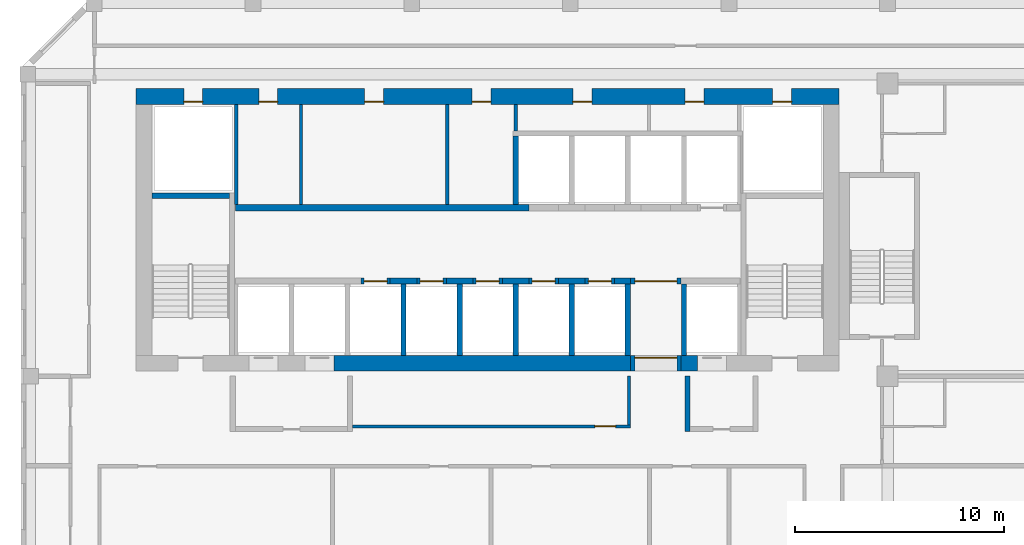
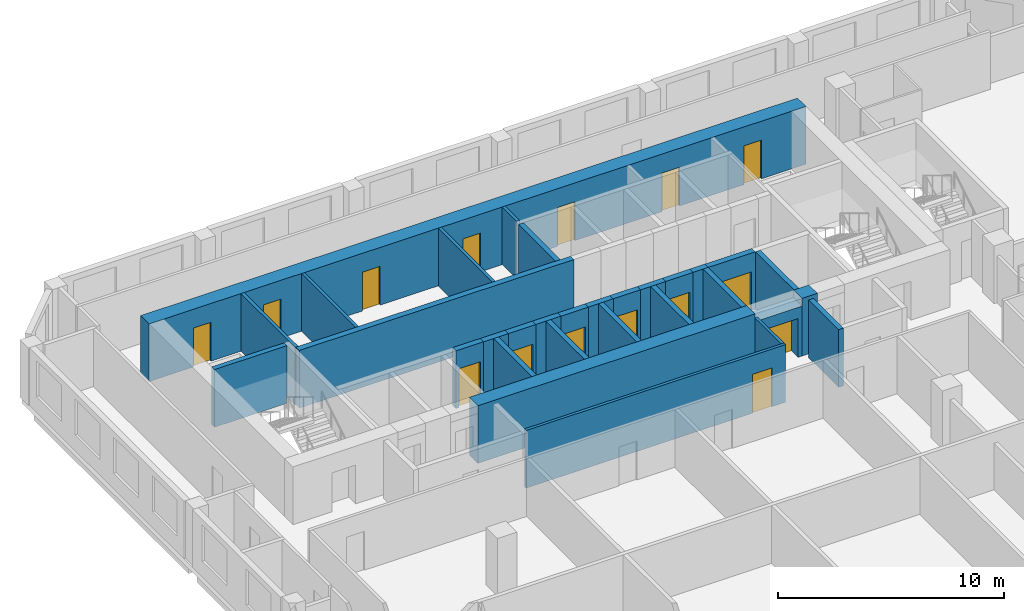
# One storey, part 7 of 21: 31 walls, 15 doors, 15 openings.
"""IFC4 building model written with IfcOpenShell, lengths in metres."""

from ifc_helpers import new_model, si_unit, direction, frame, frame_2d, origin, place, context, subcontext, project, spatial, rectangle, extrude, source, transform, mapped, material, layer, layer_set, type_object, element, fill, save


model = new_model("IFC4")

# Units and contexts
model_context = context("Model", 3, precision=1e-05, world=origin(), true_north=direction((0.0, 1.0)))
body_context = subcontext(model_context, "Body", "Model", "MODEL_VIEW")
ifc_project = project(units=[si_unit("LENGTHUNIT", "METRE"), si_unit("AREAUNIT", "SQUARE_METRE"), si_unit("VOLUMEUNIT", "CUBIC_METRE"), si_unit("PLANEANGLEUNIT", "RADIAN"), si_unit("MASSUNIT", "GRAM", prefix="KILO")], contexts=[model_context])

# Site, building, storey
site_placement = place(None, origin())
site = spatial("IfcSite", under=ifc_project, at=site_placement, CompositionType="ELEMENT")
building_placement = place(site_placement, origin())
building = spatial("IfcBuilding", under=site, at=building_placement, Name="Kilnfold Tower and Market Hall", CompositionType="ELEMENT")
storey_placement = place(building_placement, frame((0.0, 0.0, 216.89990234375)))
storey = spatial("IfcBuildingStorey", under=building, at=storey_placement, Name="L53", CompositionType="ELEMENT", Elevation=216.89990234375)

# Wall, opening, door
ifc_material_1 = material(Name="Gypsum board on steel studs", Category="steel")
ifc_layer_1 = layer(ifc_material_1, 0.14990234375)
ifc_layer_set_1 = layer_set([ifc_layer_1], Name="Gypsum board on steel studs")
wall_type_1 = type_object("IfcWallType", Name="WALL CORRIDOR 150", PredefinedType="PARTITIONING", material=ifc_layer_set_1)
wall_1_placement = place(storey_placement, frame((7.875, 5.60009765625, 0.0), z_axis=(0.0, 0.0, 1.0), x_axis=(-1.0, 0.0, 0.0)))
wall_1 = element("IfcWall", 1, at=wall_1_placement, inside=storey, type_object=wall_type_1, Name="Partition LY31.32", PredefinedType="PARTITIONING", context=body_context, shape_type="SweptSolid", body=[
    extrude(rectangle(XDim=13.27490234375, YDim=0.14990234375, at=frame_2d((6.637451171875, 0.0))), origin(), (0.0, 0.0, 1.0), 3.1201171875),
])
opening_1_placement = place(wall_1_placement, frame((0.702880859375, 0.0, 0.0)))
opening_1 = element("IfcOpeningElement", 2, at=opening_1_placement, cuts=wall_1, Name="Opening D1", PredefinedType="OPENING", context=body_context, shape_type="SweptSolid", body=[
    extrude(rectangle(XDim=1.0, YDim=2.10009765625, at=frame_2d((0.5, 1.050048828125))), frame((0.0, 0.0849609375, 0.0), z_axis=(0.0, -1.0, 0.0), x_axis=(1.0, 0.0, 0.0)), (0.0, 0.0, 1.0), 0.169921875),
])
ifc_material_2 = material(Name="Timber veneer door leaf in steel frame", Category="steel")
door_type_1 = type_object("IfcDoorType", Name="DOOR ENTRY 1000 X2100", OperationType="NOTDEFINED", PredefinedType="DOOR", material=ifc_material_2)
door_1_placement = place(opening_1_placement, origin())
door_1 = element("IfcDoor", 3, at=door_1_placement, inside=storey, type_object=door_type_1, Name="Door D1", OperationType="SINGLE_SWING_RIGHT", OverallHeight=2.10009765625, OverallWidth=1.0, PredefinedType="DOOR", context=body_context, shape_type="SweptSolid", body=[
    extrude(rectangle(XDim=1.0, YDim=2.10009765625, at=frame_2d((0.5, 1.050048828125))), frame((0.0, 0.02490234375, 0.0), z_axis=(0.0, -1.0, 0.0), x_axis=(1.0, 0.0, 0.0)), (0.0, 0.0, 1.0), 0.050048828125),
])
fill(opening_1, door_1)

# Walls
wall_2_placement = place(storey_placement, frame((7.800048828125, 8.0, 0.0), z_axis=(0.0, 0.0, 1.0), x_axis=(0.0, -1.0, 0.0)))
element("IfcWall", 4, at=wall_2_placement, inside=storey, type_object=wall_type_1, Name="Partition LY31.33", PredefinedType="PARTITIONING", context=body_context, shape_type="SweptSolid", body=[
    extrude(rectangle(XDim=2.324951171875, YDim=0.14990234375, at=frame_2d((1.16259765625, 0.0))), origin(), (0.0, 0.0, 1.0), 3.1201171875),
])
ifc_material_3 = material(Name="Concrete C60", Category="concrete")
ifc_layer_2 = layer(ifc_material_3, 0.25)
ifc_layer_set_2 = layer_set([ifc_layer_2], Name="Concrete C60")
wall_type_2 = type_object("IfcWallType", Name="CORE WALL 250 C60", PredefinedType="SHEAR", material=ifc_layer_set_2)
shared_shape_1 = source(origin(), body_context, "Body", "SweptSolid", [
    extrude(rectangle(XDim=3.699951171875, YDim=0.25, at=frame_2d((1.85009765625, 0.0))), origin(), (0.0, 0.0, 1.0), 3.1201171875),
])
wall_3_placement = place(storey_placement, frame((-15.0, 16.625, 0.0), z_axis=(0.0, 0.0, 1.0), x_axis=(1.0, 0.0, 0.0)))
element("IfcWall", 5, at=wall_3_placement, inside=storey, type_object=wall_type_2, Name="Stair enclosure ST1", PredefinedType="SHEAR", context=body_context, shape_type="MappedRepresentation", body=[
    mapped(shared_shape_1, transform((0.0, 0.0, 0.0))),
])
ifc_material_4 = material(Name="Concrete C60", Category="concrete")
ifc_layer_3 = layer(ifc_material_4, 0.300048828125)
ifc_layer_set_3 = layer_set([ifc_layer_3], Name="Concrete C60")
wall_type_3 = type_object("IfcWallType", Name="CORE WALL 300 C60", PredefinedType="SHEAR", material=ifc_layer_set_3)
shared_shape_2 = source(origin(), body_context, "Body", "SweptSolid", [
    extrude(rectangle(XDim=1.280029296875, YDim=0.300048828125, at=frame_2d((0.64013671875, 0.0))), origin(), (0.0, 0.0, 1.0), 3.1201171875),
])
for number, where, z_axis, x_axis, name in (
    (6, (-3.610107421875, 12.550048828125, 0.0), (0.0, 0.0, 1.0), (1.0, 0.0, 0.0), "Core spine wall"),
    (7, (-0.929931640625, 12.550048828125, 0.0), (0.0, 0.0, 1.0), (1.0, 0.0, 0.0), "Core spine wall"),
    (8, (1.75, 12.550048828125, 0.0), (0.0, 0.0, 1.0), (1.0, 0.0, 0.0), "Core spine wall"),
    (9, (4.429931640625, 12.550048828125, 0.0), (0.0, 0.0, 1.0), (1.0, 0.0, 0.0), "Core spine wall"),
):
    element("IfcWall", number, at=place(storey_placement, frame(where, z_axis=z_axis, x_axis=x_axis)), inside=storey, type_object=wall_type_3, Name=name, PredefinedType="SHEAR", context=body_context, shape_type="MappedRepresentation", body=[
        mapped(shared_shape_2, transform((0.0, 0.0, 0.0))),
    ])
shared_shape_3 = source(origin(), body_context, "Body", "SweptSolid", [
    extrude(rectangle(XDim=0.77978515625, YDim=0.300048828125, at=frame_2d((0.389892578125, 0.0))), origin(), (0.0, 0.0, 1.0), 3.1201171875),
])
wall_4_placement = place(storey_placement, frame((7.110107421875, 12.550048828125, 0.0), z_axis=(0.0, 0.0, 1.0), x_axis=(1.0, 0.0, 0.0)))
element("IfcWall", 10, at=wall_4_placement, inside=storey, type_object=wall_type_3, Name="Core spine wall", PredefinedType="SHEAR", context=body_context, shape_type="MappedRepresentation", body=[
    mapped(shared_shape_3, transform((0.0, 0.0, 0.0))),
])
shared_shape_4 = source(origin(), body_context, "Body", "SweptSolid", [
    extrude(rectangle(XDim=14.0400390625, YDim=0.300048828125, at=frame_2d((7.02001953125, 0.0))), origin(), (0.0, 0.0, 1.0), 3.1201171875),
])
wall_5_placement = place(storey_placement, frame((-11.010009765625, 16.050048828125, 0.0), z_axis=(0.0, 0.0, 1.0), x_axis=(1.0, 0.0, 0.0)))
element("IfcWall", 11, at=wall_5_placement, inside=storey, type_object=wall_type_3, Name="Core spine wall", PredefinedType="SHEAR", context=body_context, shape_type="MappedRepresentation", body=[
    mapped(shared_shape_4, transform((0.0, 0.0, 0.0))),
])
ifc_material_5 = material(Name="Concrete C60", Category="concrete")
ifc_layer_4 = layer(ifc_material_5, 0.75)
ifc_layer_set_4 = layer_set([ifc_layer_4], Name="Concrete C60")
wall_type_4 = type_object("IfcWallType", Name="CORE WALL 750 C60", PredefinedType="SHEAR", material=ifc_layer_set_4)
shared_shape_5 = source(origin(), body_context, "Body", "SweptSolid", [
    extrude(rectangle(XDim=14.179931640625, YDim=0.75, at=frame_2d((7.08984375, 0.0))), origin(), (0.0, 0.0, 1.0), 3.1201171875),
])
wall_6_placement = place(storey_placement, frame((-6.2900390625, 8.625, 0.0), z_axis=(0.0, 0.0, 1.0), x_axis=(1.0, 0.0, 0.0)))
element("IfcWall", 12, at=wall_6_placement, inside=storey, type_object=wall_type_4, Name="Core outer wall south", PredefinedType="SHEAR", context=body_context, shape_type="MappedRepresentation", body=[
    mapped(shared_shape_5, transform((0.0, 0.0, 0.0))),
])
shared_shape_6 = source(origin(), body_context, "Body", "SweptSolid", [
    extrude(rectangle(XDim=0.780029296875, YDim=0.75, at=frame_2d((0.39013671875, 0.0))), origin(), (0.0, 0.0, 1.0), 3.1201171875),
])
wall_7_placement = place(storey_placement, frame((10.2900390625, 8.625, 0.0), z_axis=(0.0, 0.0, 1.0), x_axis=(1.0, 0.0, 0.0)))
element("IfcWall", 13, at=wall_7_placement, inside=storey, type_object=wall_type_4, Name="Core outer wall south", PredefinedType="SHEAR", context=body_context, shape_type="MappedRepresentation", body=[
    mapped(shared_shape_6, transform((0.0, 0.0, 0.0))),
])

# Wall, openings, doors
shared_shape_7 = source(origin(), body_context, "Body", "SweptSolid", [
    extrude(rectangle(XDim=33.60009765625, YDim=0.75, at=frame_2d((16.800048828125, 0.0))), origin(), (0.0, 0.0, 1.0), 3.1201171875),
])
wall_8_placement = place(storey_placement, frame((-15.75, 21.375, 0.0), z_axis=(0.0, 0.0, 1.0), x_axis=(1.0, 0.0, 0.0)))
wall_8 = element("IfcWall", 14, at=wall_8_placement, inside=storey, type_object=wall_type_4, Name="Core outer wall north", PredefinedType="SHEAR", context=body_context, shape_type="MappedRepresentation", body=[
    mapped(shared_shape_7, transform((0.0, 0.0, 0.0))),
])
opening_2_placement = place(wall_8_placement, frame((5.85791015625, 0.0, 0.0)))
opening_2 = element("IfcOpeningElement", 15, at=opening_2_placement, cuts=wall_8, Name="Opening KD1", PredefinedType="OPENING", context=body_context, shape_type="SweptSolid", body=[
    extrude(rectangle(XDim=0.89990234375, YDim=2.10009765625, at=frame_2d((0.449951171875, 1.050048828125))), frame((0.0, 0.385009765625, 0.0), z_axis=(0.0, -1.0, 0.0), x_axis=(1.0, 0.0, 0.0)), (0.0, 0.0, 1.0), 0.77001953125),
])
opening_3_placement = place(wall_8_placement, frame((10.923095703125, 0.0, 0.0)))
opening_3 = element("IfcOpeningElement", 16, at=opening_3_placement, cuts=wall_8, Name="Opening KD1", PredefinedType="OPENING", context=body_context, shape_type="SweptSolid", body=[
    extrude(rectangle(XDim=0.89990234375, YDim=2.10009765625, at=frame_2d((0.449951171875, 1.050048828125))), frame((0.0, 0.385009765625, 0.0), z_axis=(0.0, -1.0, 0.0), x_axis=(1.0, 0.0, 0.0)), (0.0, 0.0, 1.0), 0.77001953125),
])
opening_4_placement = place(wall_8_placement, frame((16.05517578125, 0.0, 0.0)))
opening_4 = element("IfcOpeningElement", 17, at=opening_4_placement, cuts=wall_8, Name="Opening KD1", PredefinedType="OPENING", context=body_context, shape_type="SweptSolid", body=[
    extrude(rectangle(XDim=0.89990234375, YDim=2.10009765625, at=frame_2d((0.449951171875, 1.050048828125))), frame((0.0, 0.385009765625, 0.0), z_axis=(0.0, -1.0, 0.0), x_axis=(1.0, 0.0, 0.0)), (0.0, 0.0, 1.0), 0.77001953125),
])
opening_5_placement = place(wall_8_placement, frame((20.879150390625, 0.0, 0.0)))
opening_5 = element("IfcOpeningElement", 18, at=opening_5_placement, cuts=wall_8, Name="Opening KD1", PredefinedType="OPENING", context=body_context, shape_type="SweptSolid", body=[
    extrude(rectangle(XDim=0.89990234375, YDim=2.10009765625, at=frame_2d((0.449951171875, 1.050048828125))), frame((0.0, 0.385009765625, 0.0), z_axis=(0.0, -1.0, 0.0), x_axis=(1.0, 0.0, 0.0)), (0.0, 0.0, 1.0), 0.77001953125),
])
opening_6_placement = place(wall_8_placement, frame((26.2392578125, 0.0, 0.0)))
opening_6 = element("IfcOpeningElement", 19, at=opening_6_placement, cuts=wall_8, Name="Opening KD1", PredefinedType="OPENING", context=body_context, shape_type="SweptSolid", body=[
    extrude(rectangle(XDim=0.89990234375, YDim=2.10009765625, at=frame_2d((0.449951171875, 1.050048828125))), frame((0.0, 0.385009765625, 0.0), z_axis=(0.0, -1.0, 0.0), x_axis=(1.0, 0.0, 0.0)), (0.0, 0.0, 1.0), 0.77001953125),
])
opening_7_placement = place(wall_8_placement, frame((2.27490234375, 0.0, 0.0)))
opening_7 = element("IfcOpeningElement", 20, at=opening_7_placement, cuts=wall_8, Name="Opening KD1", PredefinedType="OPENING", context=body_context, shape_type="SweptSolid", body=[
    extrude(rectangle(XDim=0.89990234375, YDim=2.10009765625, at=frame_2d((0.449951171875, 1.050048828125))), frame((0.0, 0.385009765625, 0.0), z_axis=(0.0, -1.0, 0.0), x_axis=(1.0, 0.0, 0.0)), (0.0, 0.0, 1.0), 0.77001953125),
])
opening_8_placement = place(wall_8_placement, frame((30.425048828125, 0.0, 0.0)))
opening_8 = element("IfcOpeningElement", 21, at=opening_8_placement, cuts=wall_8, Name="Opening KD1", PredefinedType="OPENING", context=body_context, shape_type="SweptSolid", body=[
    extrude(rectangle(XDim=0.89990234375, YDim=2.10009765625, at=frame_2d((0.449951171875, 1.050048828125))), frame((0.0, 0.385009765625, 0.0), z_axis=(0.0, -1.0, 0.0), x_axis=(1.0, 0.0, 0.0)), (0.0, 0.0, 1.0), 0.77001953125),
])
ifc_material_6 = material(Name="Steel door set with fire-resisting leaf", Category="steel")
door_type_2 = type_object("IfcDoorType", Name="SERVICE DOOR 900X2100", OperationType="NOTDEFINED", PredefinedType="DOOR", material=ifc_material_6)
door_2_placement = place(opening_2_placement, origin())
door_2 = element("IfcDoor", 22, at=door_2_placement, inside=storey, type_object=door_type_2, Name="Core service door", OperationType="SINGLE_SWING_RIGHT", OverallHeight=2.10009765625, OverallWidth=0.89990234375, PredefinedType="DOOR", context=body_context, shape_type="SweptSolid", body=[
    extrude(rectangle(XDim=0.89990234375, YDim=2.10009765625, at=frame_2d((0.449951171875, 1.050048828125))), frame((0.0, -0.22998046875, 0.0), z_axis=(0.0, -1.0, 0.0), x_axis=(1.0, 0.0, 0.0)), (0.0, 0.0, 1.0), 0.050048828125),
])
fill(opening_2, door_2)
door_3_placement = place(opening_3_placement, origin())
door_3 = element("IfcDoor", 23, at=door_3_placement, inside=storey, type_object=door_type_2, Name="Core service door", OperationType="SINGLE_SWING_LEFT", OverallHeight=2.10009765625, OverallWidth=0.89990234375, PredefinedType="DOOR", context=body_context, shape_type="SweptSolid", body=[
    extrude(rectangle(XDim=0.89990234375, YDim=2.10009765625, at=frame_2d((0.449951171875, 1.050048828125))), frame((0.0, -0.22998046875, 0.0), z_axis=(0.0, -1.0, 0.0), x_axis=(1.0, 0.0, 0.0)), (0.0, 0.0, 1.0), 0.050048828125),
])
fill(opening_3, door_3)
door_4_placement = place(opening_4_placement, origin())
door_4 = element("IfcDoor", 24, at=door_4_placement, inside=storey, type_object=door_type_2, Name="Core service door", OperationType="SINGLE_SWING_RIGHT", OverallHeight=2.10009765625, OverallWidth=0.89990234375, PredefinedType="DOOR", context=body_context, shape_type="SweptSolid", body=[
    extrude(rectangle(XDim=0.89990234375, YDim=2.10009765625, at=frame_2d((0.449951171875, 1.050048828125))), frame((0.0, -0.22998046875, 0.0), z_axis=(0.0, -1.0, 0.0), x_axis=(1.0, 0.0, 0.0)), (0.0, 0.0, 1.0), 0.050048828125),
])
fill(opening_4, door_4)
door_5_placement = place(opening_5_placement, origin())
door_5 = element("IfcDoor", 25, at=door_5_placement, inside=storey, type_object=door_type_2, Name="Core service door", OperationType="SINGLE_SWING_LEFT", OverallHeight=2.10009765625, OverallWidth=0.89990234375, PredefinedType="DOOR", context=body_context, shape_type="SweptSolid", body=[
    extrude(rectangle(XDim=0.89990234375, YDim=2.10009765625, at=frame_2d((0.449951171875, 1.050048828125))), frame((0.0, -0.22998046875, 0.0), z_axis=(0.0, -1.0, 0.0), x_axis=(1.0, 0.0, 0.0)), (0.0, 0.0, 1.0), 0.050048828125),
])
fill(opening_5, door_5)
door_6_placement = place(opening_6_placement, origin())
door_6 = element("IfcDoor", 26, at=door_6_placement, inside=storey, type_object=door_type_2, Name="Core service door", OperationType="SINGLE_SWING_RIGHT", OverallHeight=2.10009765625, OverallWidth=0.89990234375, PredefinedType="DOOR", context=body_context, shape_type="SweptSolid", body=[
    extrude(rectangle(XDim=0.89990234375, YDim=2.10009765625, at=frame_2d((0.449951171875, 1.050048828125))), frame((0.0, -0.22998046875, 0.0), z_axis=(0.0, -1.0, 0.0), x_axis=(1.0, 0.0, 0.0)), (0.0, 0.0, 1.0), 0.050048828125),
])
fill(opening_6, door_6)
door_7_placement = place(opening_7_placement, origin())
door_7 = element("IfcDoor", 27, at=door_7_placement, inside=storey, type_object=door_type_2, Name="Electrical riser access door", OperationType="SINGLE_SWING_LEFT", OverallHeight=2.10009765625, OverallWidth=0.89990234375, PredefinedType="DOOR", context=body_context, shape_type="SweptSolid", body=[
    extrude(rectangle(XDim=0.89990234375, YDim=2.10009765625, at=frame_2d((0.449951171875, 1.050048828125))), frame((0.0, -0.22998046875, 0.0), z_axis=(0.0, -1.0, 0.0), x_axis=(1.0, 0.0, 0.0)), (0.0, 0.0, 1.0), 0.050048828125),
])
fill(opening_7, door_7)
door_8_placement = place(opening_8_placement, origin())
door_8 = element("IfcDoor", 28, at=door_8_placement, inside=storey, type_object=door_type_2, Name="Mechanical riser access door", OperationType="SINGLE_SWING_RIGHT", OverallHeight=2.10009765625, OverallWidth=0.89990234375, PredefinedType="DOOR", context=body_context, shape_type="SweptSolid", body=[
    extrude(rectangle(XDim=0.89990234375, YDim=2.10009765625, at=frame_2d((0.449951171875, 1.050048828125))), frame((0.0, -0.22998046875, 0.0), z_axis=(0.0, -1.0, 0.0), x_axis=(1.0, 0.0, 0.0)), (0.0, 0.0, 1.0), 0.050048828125),
])
fill(opening_8, door_8)

# Wall, opening, door
ifc_material_7 = material(Name="Gypsum shaft wall system")
ifc_layer_5 = layer(ifc_material_7, 0.300048828125)
ifc_layer_set_5 = layer_set([ifc_layer_5], Name="Gypsum shaft wall system")
wall_type_5 = type_object("IfcWallType", Name="SHAFT WALL 300", PredefinedType="PARTITIONING", material=ifc_layer_set_5)
shared_shape_8 = source(origin(), body_context, "Body", "SweptSolid", [
    extrude(rectangle(XDim=1.39990234375, YDim=0.300048828125, at=frame_2d((0.699951171875, 0.0))), origin(), (0.0, 0.0, 1.0), 3.1201171875),
])
wall_9_placement = place(storey_placement, frame((-5.010009765625, 12.550048828125, 0.0), z_axis=(0.0, 0.0, 1.0), x_axis=(1.0, 0.0, 0.0)))
wall_9 = element("IfcWall", 29, at=wall_9_placement, inside=storey, type_object=wall_type_5, Name="Lift shaft front wall", PredefinedType="PARTITIONING", context=body_context, shape_type="MappedRepresentation", body=[
    mapped(shared_shape_8, transform((0.0, 0.0, 0.0))),
])
opening_9_placement = place(wall_9_placement, frame((0.14990234375, 0.0, 0.0)))
opening_9 = element("IfcOpeningElement", 30, at=opening_9_placement, cuts=wall_9, Name="Opening LD2", PredefinedType="OPENING", context=body_context, shape_type="SweptSolid", body=[
    extrude(rectangle(XDim=1.10009765625, YDim=2.10009765625, at=frame_2d((0.550048828125, 1.050048828125))), frame((0.0, 0.16015625, 0.0), z_axis=(0.0, -1.0, 0.0), x_axis=(1.0, 0.0, 0.0)), (0.0, 0.0, 1.0), 0.320068359375),
])
ifc_material_8 = material(Name="Steel door set with fire-resisting leaf", Category="steel")
door_type_3 = type_object("IfcDoorType", Name="LANDING DOOR 1100X2100", OperationType="NOTDEFINED", PredefinedType="DOOR", material=ifc_material_8)
door_9_placement = place(opening_9_placement, origin())
door_9 = element("IfcDoor", 31, at=door_9_placement, inside=storey, type_object=door_type_3, Name="Landing door MR1", OperationType="DOUBLE_DOOR_SLIDING", OverallHeight=2.10009765625, OverallWidth=1.10009765625, PredefinedType="DOOR", context=body_context, shape_type="SweptSolid", body=[
    extrude(rectangle(XDim=1.10009765625, YDim=2.10009765625, at=frame_2d((0.550048828125, 1.050048828125))), frame((0.0, 0.02490234375, 0.0), z_axis=(0.0, -1.0, 0.0), x_axis=(1.0, 0.0, 0.0)), (0.0, 0.0, 1.0), 0.050048828125),
])
fill(opening_9, door_9)

wall_10_placement = place(storey_placement, frame((0.35009765625, 12.550048828125, 0.0), z_axis=(0.0, 0.0, 1.0), x_axis=(1.0, 0.0, 0.0)))
wall_10 = element("IfcWall", 32, at=wall_10_placement, inside=storey, type_object=wall_type_5, Name="Lift shaft front wall", PredefinedType="PARTITIONING", context=body_context, shape_type="MappedRepresentation", body=[
    mapped(shared_shape_8, transform((0.0, 0.0, 0.0))),
])
opening_10_placement = place(wall_10_placement, frame((0.14990234375, 0.0, 0.0)))
opening_10 = element("IfcOpeningElement", 33, at=opening_10_placement, cuts=wall_10, Name="Opening LD2", PredefinedType="OPENING", context=body_context, shape_type="SweptSolid", body=[
    extrude(rectangle(XDim=1.10009765625, YDim=2.10009765625, at=frame_2d((0.550048828125, 1.050048828125))), frame((0.0, 0.16015625, 0.0), z_axis=(0.0, -1.0, 0.0), x_axis=(1.0, 0.0, 0.0)), (0.0, 0.0, 1.0), 0.320068359375),
])
door_10_placement = place(opening_10_placement, origin())
door_10 = element("IfcDoor", 34, at=door_10_placement, inside=storey, type_object=door_type_3, Name="Landing door MR3", OperationType="DOUBLE_DOOR_SLIDING", OverallHeight=2.10009765625, OverallWidth=1.10009765625, PredefinedType="DOOR", context=body_context, shape_type="SweptSolid", body=[
    extrude(rectangle(XDim=1.10009765625, YDim=2.10009765625, at=frame_2d((0.550048828125, 1.050048828125))), frame((0.0, 0.02490234375, 0.0), z_axis=(0.0, -1.0, 0.0), x_axis=(1.0, 0.0, 0.0)), (0.0, 0.0, 1.0), 0.050048828125),
])
fill(opening_10, door_10)

wall_11_placement = place(storey_placement, frame((3.030029296875, 12.550048828125, 0.0), z_axis=(0.0, 0.0, 1.0), x_axis=(1.0, 0.0, 0.0)))
wall_11 = element("IfcWall", 35, at=wall_11_placement, inside=storey, type_object=wall_type_5, Name="Lift shaft front wall", PredefinedType="PARTITIONING", context=body_context, shape_type="MappedRepresentation", body=[
    mapped(shared_shape_8, transform((0.0, 0.0, 0.0))),
])
opening_11_placement = place(wall_11_placement, frame((0.14990234375, 0.0, 0.0)))
opening_11 = element("IfcOpeningElement", 36, at=opening_11_placement, cuts=wall_11, Name="Opening LD2", PredefinedType="OPENING", context=body_context, shape_type="SweptSolid", body=[
    extrude(rectangle(XDim=1.10009765625, YDim=2.10009765625, at=frame_2d((0.550048828125, 1.050048828125))), frame((0.0, 0.16015625, 0.0), z_axis=(0.0, -1.0, 0.0), x_axis=(1.0, 0.0, 0.0)), (0.0, 0.0, 1.0), 0.320068359375),
])
door_11_placement = place(opening_11_placement, origin())
door_11 = element("IfcDoor", 37, at=door_11_placement, inside=storey, type_object=door_type_3, Name="Landing door MR4", OperationType="DOUBLE_DOOR_SLIDING", OverallHeight=2.10009765625, OverallWidth=1.10009765625, PredefinedType="DOOR", context=body_context, shape_type="SweptSolid", body=[
    extrude(rectangle(XDim=1.10009765625, YDim=2.10009765625, at=frame_2d((0.550048828125, 1.050048828125))), frame((0.0, 0.02490234375, 0.0), z_axis=(0.0, -1.0, 0.0), x_axis=(1.0, 0.0, 0.0)), (0.0, 0.0, 1.0), 0.050048828125),
])
fill(opening_11, door_11)

shared_shape_9 = source(origin(), body_context, "Body", "SweptSolid", [
    extrude(rectangle(XDim=1.400146484375, YDim=0.300048828125, at=frame_2d((0.7001953125, 0.0))), origin(), (0.0, 0.0, 1.0), 3.1201171875),
])
wall_12_placement = place(storey_placement, frame((-2.330078125, 12.550048828125, 0.0), z_axis=(0.0, 0.0, 1.0), x_axis=(1.0, 0.0, 0.0)))
wall_12 = element("IfcWall", 38, at=wall_12_placement, inside=storey, type_object=wall_type_5, Name="Lift shaft front wall", PredefinedType="PARTITIONING", context=body_context, shape_type="MappedRepresentation", body=[
    mapped(shared_shape_9, transform((0.0, 0.0, 0.0))),
])
opening_12_placement = place(wall_12_placement, frame((0.14990234375, 0.0, 0.0)))
opening_12 = element("IfcOpeningElement", 39, at=opening_12_placement, cuts=wall_12, Name="Opening LD2", PredefinedType="OPENING", context=body_context, shape_type="SweptSolid", body=[
    extrude(rectangle(XDim=1.10009765625, YDim=2.10009765625, at=frame_2d((0.550048828125, 1.050048828125))), frame((0.0, 0.16015625, 0.0), z_axis=(0.0, -1.0, 0.0), x_axis=(1.0, 0.0, 0.0)), (0.0, 0.0, 1.0), 0.320068359375),
])
door_12_placement = place(opening_12_placement, origin())
door_12 = element("IfcDoor", 40, at=door_12_placement, inside=storey, type_object=door_type_3, Name="Landing door MR2", OperationType="DOUBLE_DOOR_SLIDING", OverallHeight=2.10009765625, OverallWidth=1.10009765625, PredefinedType="DOOR", context=body_context, shape_type="SweptSolid", body=[
    extrude(rectangle(XDim=1.10009765625, YDim=2.10009765625, at=frame_2d((0.550048828125, 1.050048828125))), frame((0.0, 0.02490234375, 0.0), z_axis=(0.0, -1.0, 0.0), x_axis=(1.0, 0.0, 0.0)), (0.0, 0.0, 1.0), 0.050048828125),
])
fill(opening_12, door_12)

wall_13_placement = place(storey_placement, frame((5.7099609375, 12.550048828125, 0.0), z_axis=(0.0, 0.0, 1.0), x_axis=(1.0, 0.0, 0.0)))
wall_13 = element("IfcWall", 41, at=wall_13_placement, inside=storey, type_object=wall_type_5, Name="Lift shaft front wall", PredefinedType="PARTITIONING", context=body_context, shape_type="MappedRepresentation", body=[
    mapped(shared_shape_9, transform((0.0, 0.0, 0.0))),
])
opening_13_placement = place(wall_13_placement, frame((0.14990234375, 0.0, 0.0)))
opening_13 = element("IfcOpeningElement", 42, at=opening_13_placement, cuts=wall_13, Name="Opening LD2", PredefinedType="OPENING", context=body_context, shape_type="SweptSolid", body=[
    extrude(rectangle(XDim=1.10009765625, YDim=2.10009765625, at=frame_2d((0.550048828125, 1.050048828125))), frame((0.0, 0.16015625, 0.0), z_axis=(0.0, -1.0, 0.0), x_axis=(1.0, 0.0, 0.0)), (0.0, 0.0, 1.0), 0.320068359375),
])
door_13_placement = place(opening_13_placement, origin())
door_13 = element("IfcDoor", 43, at=door_13_placement, inside=storey, type_object=door_type_3, Name="Landing door MR5", OperationType="DOUBLE_DOOR_SLIDING", OverallHeight=2.10009765625, OverallWidth=1.10009765625, PredefinedType="DOOR", context=body_context, shape_type="SweptSolid", body=[
    extrude(rectangle(XDim=1.10009765625, YDim=2.10009765625, at=frame_2d((0.550048828125, 1.050048828125))), frame((0.0, 0.02490234375, 0.0), z_axis=(0.0, -1.0, 0.0), x_axis=(1.0, 0.0, 0.0)), (0.0, 0.0, 1.0), 0.050048828125),
])
fill(opening_13, door_13)

shared_shape_10 = source(origin(), body_context, "Body", "SweptSolid", [
    extrude(rectangle(XDim=2.400146484375, YDim=0.300048828125, at=frame_2d((1.2001953125, 0.0))), origin(), (0.0, 0.0, 1.0), 3.1201171875),
])
wall_14_placement = place(storey_placement, frame((7.889892578125, 12.550048828125, 0.0), z_axis=(0.0, 0.0, 1.0), x_axis=(1.0, 0.0, 0.0)))
wall_14 = element("IfcWall", 44, at=wall_14_placement, inside=storey, type_object=wall_type_5, Name="Lift shaft front wall", PredefinedType="PARTITIONING", context=body_context, shape_type="MappedRepresentation", body=[
    mapped(shared_shape_10, transform((0.0, 0.0, 0.0))),
])
opening_14_placement = place(wall_14_placement, frame((0.199951171875, 0.0, 0.0)))
opening_14 = element("IfcOpeningElement", 45, at=opening_14_placement, cuts=wall_14, Name="Opening VD2", PredefinedType="OPENING", context=body_context, shape_type="SweptSolid", body=[
    extrude(rectangle(XDim=2.0, YDim=2.10009765625, at=frame_2d((1.0, 1.050048828125))), frame((0.0, 0.16015625, 0.0), z_axis=(0.0, -1.0, 0.0), x_axis=(1.0, 0.0, 0.0)), (0.0, 0.0, 1.0), 0.320068359375),
])
ifc_material_9 = material(Name="Steel door set with fire-resisting leaf", Category="steel")
door_type_4 = type_object("IfcDoorType", Name="LIFT LOBBY ENTRANCE DOOR 2000X2100", OperationType="NOTDEFINED", PredefinedType="DOOR", material=ifc_material_9)
door_14_placement = place(opening_14_placement, origin())
door_14 = element("IfcDoor", 46, at=door_14_placement, inside=storey, type_object=door_type_4, Name="Lift lobby entrance door", OperationType="DOUBLE_DOOR_SINGLE_SWING", OverallHeight=2.10009765625, OverallWidth=2.0, PredefinedType="DOOR", context=body_context, shape_type="SweptSolid", body=[
    extrude(rectangle(XDim=2.0, YDim=2.10009765625, at=frame_2d((1.0, 1.050048828125))), frame((0.0, 0.02490234375, 0.0), z_axis=(0.0, -1.0, 0.0), x_axis=(1.0, 0.0, 0.0)), (0.0, 0.0, 1.0), 0.050048828125),
])
fill(opening_14, door_14)

# Walls
ifc_material_10 = material(Name="Gypsum shaft wall system")
ifc_layer_6 = layer(ifc_material_10, 0.25)
ifc_layer_set_6 = layer_set([ifc_layer_6], Name="Gypsum shaft wall system")
wall_type_6 = type_object("IfcWallType", Name="LOBBY WALL 250", PredefinedType="PARTITIONING", material=ifc_layer_set_6)
shared_shape_11 = source(origin(), body_context, "Body", "SweptSolid", [
    extrude(rectangle(XDim=2.64990234375, YDim=0.25, at=frame_2d((1.324951171875, 0.0))), origin(), (0.0, 0.0, 1.0), 3.1201171875),
])
wall_15_placement = place(storey_placement, frame((10.60498046875, 5.35009765625, 0.0), z_axis=(0.0, 0.0, 1.0), x_axis=(0.0, 1.0, 0.0)))
element("IfcWall", 47, at=wall_15_placement, inside=storey, type_object=wall_type_6, Name="Firefighting lobby wall", PredefinedType="PARTITIONING", context=body_context, shape_type="MappedRepresentation", body=[
    mapped(shared_shape_11, transform((0.0, 0.0, 0.0))),
])
ifc_material_11 = material(Name="Gypsum shaft wall system")
ifc_layer_7 = layer(ifc_material_11, 0.1650390625)
ifc_layer_set_7 = layer_set([ifc_layer_7], Name="Gypsum shaft wall system")
wall_type_7 = type_object("IfcWallType", Name="SHAFT WALL 165", PredefinedType="PARTITIONING", material=ifc_layer_set_7)
shared_shape_12 = source(origin(), body_context, "Body", "SweptSolid", [
    extrude(rectangle(XDim=4.800048828125, YDim=0.1650390625, at=frame_2d((2.39990234375, 0.0))), origin(), (0.0, 0.0, 1.0), 3.1201171875),
])
wall_16_placement = place(storey_placement, frame((-10.967529296875, 16.199951171875, 0.0), z_axis=(0.0, 0.0, 1.0), x_axis=(0.0, 1.0, 0.0)))
element("IfcWall", 48, at=wall_16_placement, inside=storey, type_object=wall_type_7, Name="Lift shaft wall", PredefinedType="PARTITIONING", context=body_context, shape_type="MappedRepresentation", body=[
    mapped(shared_shape_12, transform((0.0, 0.0, 0.0))),
])
ifc_material_12 = material(Name="Gypsum shaft wall system")
ifc_layer_8 = layer(ifc_material_12, 0.25)
ifc_layer_set_8 = layer_set([ifc_layer_8], Name="Gypsum shaft wall system")
wall_type_8 = type_object("IfcWallType", Name="SHAFT WALL 250", PredefinedType="PARTITIONING", material=ifc_layer_set_8)
shared_shape_13 = source(origin(), body_context, "Body", "SweptSolid", [
    extrude(rectangle(XDim=3.275146484375, YDim=0.25, at=frame_2d((1.6376953125, 0.0))), origin(), (0.0, 0.0, 1.0), 3.1201171875),
])
wall_17_placement = place(storey_placement, frame((2.389892578125, 16.199951171875, 0.0), z_axis=(0.0, 0.0, 1.0), x_axis=(0.0, 1.0, 0.0)))
element("IfcWall", 49, at=wall_17_placement, inside=storey, type_object=wall_type_8, Name="Lift shaft wall", PredefinedType="PARTITIONING", context=body_context, shape_type="MappedRepresentation", body=[
    mapped(shared_shape_13, transform((0.0, 0.0, 0.0))),
])
shared_shape_14 = source(origin(), body_context, "Body", "SweptSolid", [
    extrude(rectangle(XDim=3.39990234375, YDim=0.25, at=frame_2d((1.699951171875, 0.0))), origin(), (0.0, 0.0, 1.0), 3.1201171875),
])
for number, where, z_axis, x_axis, name in (
    (50, (10.429931640625, 9.0, 0.0), (0.0, 0.0, 1.0), (0.0, 1.0, 0.0), "Lift shaft wall"),
    (51, (2.389892578125, 9.0, 0.0), (0.0, 0.0, 1.0), (0.0, 1.0, 0.0), "Lift shaft wall"),
    (52, (5.070068359375, 9.0, 0.0), (0.0, 0.0, 1.0), (0.0, 1.0, 0.0), "Lift shaft wall"),
    (53, (7.75, 9.0, 0.0), (0.0, 0.0, 1.0), (0.0, 1.0, 0.0), "Lift shaft wall"),
    (54, (-0.2900390625, 9.0, 0.0), (0.0, 0.0, 1.0), (0.0, 1.0, 0.0), "Lift shaft wall"),
    (55, (-2.969970703125, 9.0, 0.0), (0.0, 0.0, 1.0), (0.0, 1.0, 0.0), "Lift shaft wall"),
):
    element("IfcWall", number, at=place(storey_placement, frame(where, z_axis=z_axis, x_axis=x_axis)), inside=storey, type_object=wall_type_8, Name=name, PredefinedType="PARTITIONING", context=body_context, shape_type="MappedRepresentation", body=[
        mapped(shared_shape_14, transform((0.0, 0.0, 0.0))),
    ])
ifc_material_13 = material(Name="Gypsum shaft wall system")
ifc_layer_9 = layer(ifc_material_13, 0.14990234375)
ifc_layer_set_9 = layer_set([ifc_layer_9], Name="Gypsum shaft wall system")
wall_type_9 = type_object("IfcWallType", Name="ROOM WALL 150", PredefinedType="PARTITIONING", material=ifc_layer_set_9)
shared_shape_15 = source(origin(), body_context, "Body", "SweptSolid", [
    extrude(rectangle(XDim=4.800048828125, YDim=0.14990234375, at=frame_2d((2.39990234375, 0.0))), origin(), (0.0, 0.0, 1.0), 3.1201171875),
])
for number, where, z_axis, x_axis, name in (
    (56, (-7.87451171875, 16.199951171875, 0.0), (0.0, 0.0, 1.0), (0.0, 1.0, 0.0), "Core room wall"),
    (57, (-0.879638671875, 16.199951171875, 0.0), (0.0, 0.0, 1.0), (0.0, 1.0, 0.0), "Core room wall"),
):
    element("IfcWall", number, at=place(storey_placement, frame(where, z_axis=z_axis, x_axis=x_axis)), inside=storey, type_object=wall_type_9, Name=name, PredefinedType="PARTITIONING", context=body_context, shape_type="MappedRepresentation", body=[
        mapped(shared_shape_15, transform((0.0, 0.0, 0.0))),
    ])
shared_shape_16 = source(origin(), body_context, "Body", "SweptSolid", [
    extrude(rectangle(XDim=1.27490234375, YDim=0.14990234375, at=frame_2d((0.637451171875, 0.0))), origin(), (0.0, 0.0, 1.0), 3.1201171875),
])
wall_18_placement = place(storey_placement, frame((2.389892578125, 19.72509765625, 0.0), z_axis=(0.0, 0.0, 1.0), x_axis=(0.0, 1.0, 0.0)))
element("IfcWall", 58, at=wall_18_placement, inside=storey, type_object=wall_type_9, Name="Core room wall", PredefinedType="PARTITIONING", context=body_context, shape_type="MappedRepresentation", body=[
    mapped(shared_shape_16, transform((0.0, 0.0, 0.0))),
])

# Wall, opening, door
ifc_material_14 = material(Name="Gypsum shaft wall system")
ifc_layer_10 = layer(ifc_material_14, 0.75)
ifc_layer_set_10 = layer_set([ifc_layer_10], Name="Gypsum shaft wall system")
wall_type_10 = type_object("IfcWallType", Name="LOBBY WALL 750", PredefinedType="PARTITIONING", material=ifc_layer_set_10)
shared_shape_17 = source(origin(), body_context, "Body", "SweptSolid", [
    extrude(rectangle(XDim=2.400146484375, YDim=0.75, at=frame_2d((1.2001953125, 0.0))), origin(), (0.0, 0.0, 1.0), 2.7001953125),
])
wall_19_placement = place(storey_placement, frame((7.889892578125, 8.625, 0.0), z_axis=(0.0, 0.0, 1.0), x_axis=(1.0, 0.0, 0.0)))
wall_19 = element("IfcWall", 59, at=wall_19_placement, inside=storey, type_object=wall_type_10, Name="Core wall infill", PredefinedType="PARTITIONING", context=body_context, shape_type="MappedRepresentation", body=[
    mapped(shared_shape_17, transform((0.0, 0.0, 0.0))),
])
opening_15_placement = place(wall_19_placement, frame((0.199951171875, 0.0, 0.0)))
opening_15 = element("IfcOpeningElement", 60, at=opening_15_placement, cuts=wall_19, Name="Opening VD2", PredefinedType="OPENING", context=body_context, shape_type="SweptSolid", body=[
    extrude(rectangle(XDim=2.0, YDim=2.10009765625, at=frame_2d((1.0, 1.050048828125))), frame((0.0, 0.385009765625, 0.0), z_axis=(0.0, -1.0, 0.0), x_axis=(1.0, 0.0, 0.0)), (0.0, 0.0, 1.0), 0.77001953125),
])
door_15_placement = place(opening_15_placement, origin())
door_15 = element("IfcDoor", 61, at=door_15_placement, inside=storey, type_object=door_type_4, Name="Lift lobby entrance door", OperationType="DOUBLE_DOOR_SINGLE_SWING", OverallHeight=2.10009765625, OverallWidth=2.0, PredefinedType="DOOR", context=body_context, shape_type="SweptSolid", body=[
    extrude(rectangle(XDim=2.0, YDim=2.10009765625, at=frame_2d((1.0, 1.050048828125))), frame((0.0, 0.27978515625, 0.0), z_axis=(0.0, -1.0, 0.0), x_axis=(1.0, 0.0, 0.0)), (0.0, 0.0, 1.0), 0.050048828125),
])
fill(opening_15, door_15)

save(model, "model.ifc")
